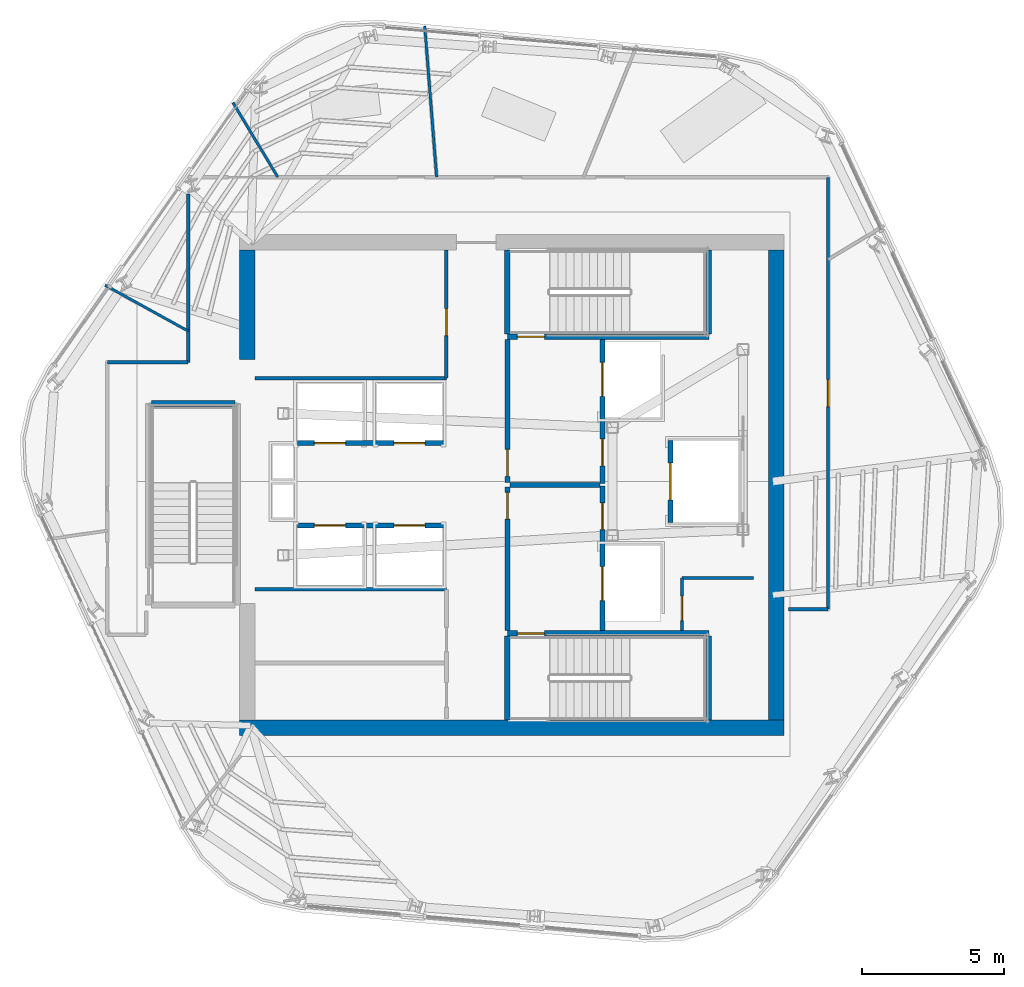
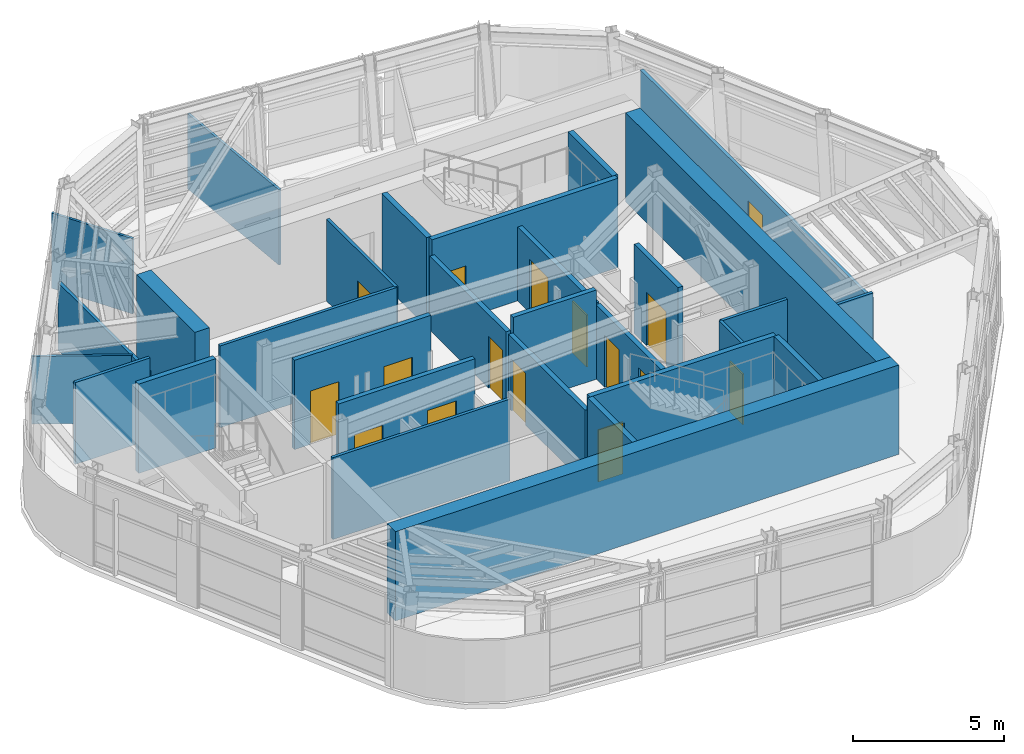
# One storey, part 6 of 12: 30 walls, 16 doors, 16 openings.
"""IFC4 building model written with IfcOpenShell, lengths in metres."""

from ifc_helpers import new_model, si_unit, direction, frame, frame_2d, origin, place, context, subcontext, project, spatial, rectangle, extrude, material, layer, layer_set, type_object, element, fill, save


model = new_model("IFC4")

# Units and contexts
model_context = context("Model", 3, precision=1e-05, world=origin(), true_north=direction((0.0, 1.0)))
body_context = subcontext(model_context, "Body", "Model", "MODEL_VIEW")
ifc_project = project(units=[si_unit("LENGTHUNIT", "METRE"), si_unit("AREAUNIT", "SQUARE_METRE"), si_unit("VOLUMEUNIT", "CUBIC_METRE"), si_unit("PLANEANGLEUNIT", "RADIAN"), si_unit("MASSUNIT", "GRAM", prefix="KILO")], contexts=[model_context])

# Site, building, storey
site_placement = place(None, origin())
site = spatial("IfcSite", under=ifc_project, at=site_placement, CompositionType="ELEMENT")
building_placement = place(site_placement, origin())
building = spatial("IfcBuilding", under=site, at=building_placement, Name="Valkerne Bourse Tower", CompositionType="ELEMENT")
storey_placement = place(building_placement, frame((0.0, 0.0, 262.199951171875)))
storey = spatial("IfcBuildingStorey", under=building, at=storey_placement, Name="L66", CompositionType="ELEMENT", Elevation=262.199951171875)

# Walls
ifc_material_1 = material(Name="Concrete C55/67", Category="concrete")
ifc_layer_1 = layer(ifc_material_1, 0.550048828125)
ifc_layer_set_1 = layer_set([ifc_layer_1], Name="Concrete C55/67")
wall_type_1 = type_object("IfcWallType", Name="W-CORE-550", PredefinedType="SHEAR", material=ifc_layer_set_1)
wall_1_placement = place(storey_placement, frame((37.199951171875, 18.324951171875, 0.0), z_axis=(0.0, 0.0, 1.0), x_axis=(1.0, 0.0, 0.0)))
element("IfcWall", 1, at=wall_1_placement, inside=storey, type_object=wall_type_1, Name="L66 Core Shear Wall SOUTH", PredefinedType="SHEAR", context=body_context, shape_type="SweptSolid", body=[
    extrude(rectangle(XDim=19.199951171875, YDim=0.550048828125, at=frame_2d((9.60009765625, 0.0))), origin(), (0.0, 0.0, 1.0), 3.60009765625),
])
wall_2_placement = place(storey_placement, frame((56.125, 18.60009765625, 0.0), z_axis=(0.0, 0.0, 1.0), x_axis=(0.0, 1.0, 0.0)))
element("IfcWall", 2, at=wall_2_placement, inside=storey, type_object=wall_type_1, Name="L66 Core Shear Wall EAST", PredefinedType="SHEAR", context=body_context, shape_type="SweptSolid", body=[
    extrude(rectangle(XDim=16.5498046875, YDim=0.550048828125, at=frame_2d((8.27490234375, 0.0))), origin(), (0.0, 0.0, 1.0), 3.60009765625),
])
wall_3_placement = place(storey_placement, frame((37.47509765625, 31.300048828125, 0.0), z_axis=(0.0, 0.0, 1.0), x_axis=(0.0, 1.0, 0.0)))
element("IfcWall", 3, at=wall_3_placement, inside=storey, type_object=wall_type_1, Name="L66 Core Shear Wall WEST-N", PredefinedType="SHEAR", context=body_context, shape_type="SweptSolid", body=[
    extrude(rectangle(XDim=3.849853515625, YDim=0.550048828125, at=frame_2d((1.9248046875, 0.0))), origin(), (0.0, 0.0, 1.0), 3.60009765625),
])
ifc_material_2 = material(Name="Gypsum Board Steel-Stud Partition", Category="steel")
ifc_layer_2 = layer(ifc_material_2, 0.117919921875)
ifc_layer_set_2 = layer_set([ifc_layer_2], Name="Gypsum Board Steel-Stud Partition")
wall_type_2 = type_object("IfcWallType", Name="W-CORR-140", PredefinedType="PARTITIONING", material=ifc_layer_set_2)
wall_4_placement = place(storey_placement, frame((37.75, 23.199951171875, 0.0), z_axis=(0.0, 0.0, 1.0), x_axis=(1.0, 0.0, 0.0)))
element("IfcWall", 4, at=wall_4_placement, inside=storey, type_object=wall_type_2, Name="L66 LV7 Low-Bank North Wall", PredefinedType="PARTITIONING", context=body_context, shape_type="SweptSolid", body=[
    extrude(rectangle(XDim=6.75, YDim=0.117919921875, at=frame_2d((3.375, 0.0))), origin(), (0.0, 0.0, 1.0), 3.300048828125),
])

# Wall, opening, door
wall_5_placement = place(storey_placement, frame((44.5, 30.639892578125, 0.0), z_axis=(0.0, 0.0, 1.0), x_axis=(0.0, 1.0, 0.0)))
wall_5 = element("IfcWall", 5, at=wall_5_placement, inside=storey, type_object=wall_type_2, Name="L66 LV7 Mid-Bank East Wall", PredefinedType="PARTITIONING", context=body_context, shape_type="SweptSolid", body=[
    extrude(rectangle(XDim=4.510009765625, YDim=0.117919921875, at=frame_2d((2.2548828125, 0.0))), origin(), (0.0, 0.0, 1.0), 3.300048828125),
])
opening_1_placement = place(wall_5_placement, frame((1.5, 0.0, 0.0)))
opening_1 = element("IfcOpeningElement", 6, at=opening_1_placement, cuts=wall_5, Name="Opening D-SV-950", PredefinedType="OPENING", context=body_context, shape_type="SweptSolid", body=[
    extrude(rectangle(XDim=0.949951171875, YDim=2.050048828125, at=frame_2d((0.47509765625, 1.02490234375))), frame((0.0, 0.06884765625, 0.0), z_axis=(0.0, -1.0, 0.0), x_axis=(1.0, 0.0, 0.0)), (0.0, 0.0, 1.0), 0.137939453125),
])
ifc_material_3 = material(Name="Galvanised Painted Steel", Category="steel")
door_type_1 = type_object("IfcDoorType", Name="DR-SRV-950", OperationType="NOTDEFINED", PredefinedType="DOOR", material=ifc_material_3)
door_1_placement = place(opening_1_placement, origin())
door_1 = element("IfcDoor", 7, at=door_1_placement, inside=storey, type_object=door_type_1, Name="L66 Executive Treasury Conference Door", OperationType="SINGLE_SWING_RIGHT", OverallHeight=2.050048828125, OverallWidth=0.949951171875, PredefinedType="DOOR", context=body_context, shape_type="SweptSolid", body=[
    extrude(rectangle(XDim=0.949951171875, YDim=2.050048828125, at=frame_2d((0.47509765625, 1.02490234375))), frame((0.0, 0.02490234375, 0.0), z_axis=(0.0, -1.0, 0.0), x_axis=(1.0, 0.0, 0.0)), (0.0, 0.0, 1.0), 0.050048828125),
])
fill(opening_1, door_1)

# Wall
wall_6_placement = place(storey_placement, frame((37.75, 30.639892578125, 0.0), z_axis=(0.0, 0.0, 1.0), x_axis=(1.0, 0.0, 0.0)))
element("IfcWall", 8, at=wall_6_placement, inside=storey, type_object=wall_type_2, Name="L66 LV7 Mid-Bank South Wall", PredefinedType="PARTITIONING", context=body_context, shape_type="SweptSolid", body=[
    extrude(rectangle(XDim=6.75, YDim=0.117919921875, at=frame_2d((3.375, 0.0))), origin(), (0.0, 0.0, 1.0), 3.300048828125),
])

# Wall, opening, door
wall_7_placement = place(storey_placement, frame((52.800048828125, 21.75, 0.0), z_axis=(0.0, 0.0, 1.0), x_axis=(0.0, 1.0, 0.0)))
wall_7 = element("IfcWall", 9, at=wall_7_placement, inside=storey, type_object=wall_type_2, Name="L66 Core SE South-Bay West Wall", PredefinedType="PARTITIONING", context=body_context, shape_type="SweptSolid", body=[
    extrude(rectangle(XDim=1.85009765625, YDim=0.117919921875, at=frame_2d((0.925048828125, 0.0))), origin(), (0.0, 0.0, 1.0), 3.300048828125),
])
opening_2_placement = place(wall_7_placement, frame((0.35009765625, 0.0, 0.0)))
opening_2 = element("IfcOpeningElement", 10, at=opening_2_placement, cuts=wall_7, Name="Opening D-WC-900", PredefinedType="OPENING", context=body_context, shape_type="SweptSolid", body=[
    extrude(rectangle(XDim=0.860107421875, YDim=2.050048828125, at=frame_2d((0.43017578125, 1.02490234375))), frame((0.0, 0.06884765625, 0.0), z_axis=(0.0, -1.0, 0.0), x_axis=(1.0, 0.0, 0.0)), (0.0, 0.0, 1.0), 0.137939453125),
])
ifc_material_4 = material(Name="Architectural White Oak Timber", Category="wood")
door_type_2 = type_object("IfcDoorType", Name="DR-WC-900", OperationType="NOTDEFINED", PredefinedType="DOOR", material=ifc_material_4)
door_2_placement = place(opening_2_placement, origin())
door_2 = element("IfcDoor", 11, at=door_2_placement, inside=storey, type_object=door_type_2, Name="L66 Janitor Store Door", OperationType="SINGLE_SWING_RIGHT", OverallHeight=2.050048828125, OverallWidth=0.860107421875, PredefinedType="DOOR", context=body_context, shape_type="SweptSolid", body=[
    extrude(rectangle(XDim=0.860107421875, YDim=2.050048828125, at=frame_2d((0.43017578125, 1.02490234375))), frame((0.0, 0.02490234375, 0.0), z_axis=(0.0, -1.0, 0.0), x_axis=(1.0, 0.0, 0.0)), (0.0, 0.0, 1.0), 0.050048828125),
])
fill(opening_2, door_2)

# Walls
wall_8_placement = place(storey_placement, frame((52.800048828125, 23.60009765625, 0.0), z_axis=(0.0, 0.0, 1.0), x_axis=(1.0, 0.0, 0.0)))
element("IfcWall", 12, at=wall_8_placement, inside=storey, type_object=wall_type_2, Name="L66 Core SE South-Bay North Wall", PredefinedType="PARTITIONING", context=body_context, shape_type="SweptSolid", body=[
    extrude(rectangle(XDim=2.52001953125, YDim=0.117919921875, at=frame_2d((1.260009765625, 0.0))), origin(), (0.0, 0.0, 1.0), 3.300048828125),
])
wall_9_placement = place(storey_placement, frame((35.39990234375, 31.199951171875, 0.0), z_axis=(0.0, 0.0, 1.0), x_axis=(0.0, 1.0, 0.0)))
element("IfcWall", 13, at=wall_9_placement, inside=storey, type_object=wall_type_2, Name="L66 Corridor Enclosure Wall", PredefinedType="PARTITIONING", context=body_context, shape_type="SweptSolid", body=[
    extrude(rectangle(XDim=5.933837890625, YDim=0.117919921875, at=frame_2d((2.966796875, 0.0))), origin(), (0.0, 0.0, 1.0), 2.7314453125),
])

# Wall, opening, door
wall_10_placement = place(storey_placement, frame((57.949951171875, 37.719970703125, 0.0), z_axis=(0.0, 0.0, 1.0), x_axis=(0.0, -1.0, 0.0)))
wall_10 = element("IfcWall", 14, at=wall_10_placement, inside=storey, type_object=wall_type_2, Name="L66 Corridor Enclosure Wall", PredefinedType="PARTITIONING", context=body_context, shape_type="SweptSolid", body=[
    extrude(rectangle(XDim=15.219970703125, YDim=0.117919921875, at=frame_2d((7.60986328125, 0.0))), origin(), (0.0, 0.0, 1.0), 3.056640625),
])
opening_3_placement = place(wall_10_placement, frame((7.135009765625, 0.0, 0.0)))
opening_3 = element("IfcOpeningElement", 15, at=opening_3_placement, cuts=wall_10, Name="Opening D-OF-950", PredefinedType="OPENING", context=body_context, shape_type="SweptSolid", body=[
    extrude(rectangle(XDim=0.949951171875, YDim=2.10009765625, at=frame_2d((0.47509765625, 1.050048828125))), frame((0.0, 0.06884765625, 0.0), z_axis=(0.0, -1.0, 0.0), x_axis=(1.0, 0.0, 0.0)), (0.0, 0.0, 1.0), 0.137939453125),
])
door_type_3 = type_object("IfcDoorType", Name="DR-OFF-950", OperationType="NOTDEFINED", PredefinedType="DOOR", material=ifc_material_4)
door_3_placement = place(opening_3_placement, origin())
door_3 = element("IfcDoor", 16, at=door_3_placement, inside=storey, type_object=door_type_3, Name="L66 L66 Occupational Wellness Clinic 7 Door", OperationType="SINGLE_SWING_LEFT", OverallHeight=2.10009765625, OverallWidth=0.949951171875, PredefinedType="DOOR", context=body_context, shape_type="SweptSolid", body=[
    extrude(rectangle(XDim=0.949951171875, YDim=2.10009765625, at=frame_2d((0.47509765625, 1.050048828125))), frame((0.0, 0.02490234375, 0.0), z_axis=(0.0, -1.0, 0.0), x_axis=(1.0, 0.0, 0.0)), (0.0, 0.0, 1.0), 0.050048828125),
])
fill(opening_3, door_3)

# Walls
wall_11_placement = place(storey_placement, frame((57.949951171875, 22.5, 0.0), z_axis=(0.0, 0.0, 1.0), x_axis=(-1.0, 0.0, 0.0)))
element("IfcWall", 17, at=wall_11_placement, inside=storey, type_object=wall_type_2, Name="L66 Corridor Enclosure Wall", PredefinedType="PARTITIONING", context=body_context, shape_type="SweptSolid", body=[
    extrude(rectangle(XDim=1.389892578125, YDim=0.117919921875, at=frame_2d((0.69482421875, 0.0))), origin(), (0.0, 0.0, 1.0), 3.300048828125),
])
wall_12_placement = place(storey_placement, frame((32.550048828125, 31.199951171875, 0.0), z_axis=(0.0, 0.0, 1.0), x_axis=(1.0, 0.0, 0.0)))
element("IfcWall", 18, at=wall_12_placement, inside=storey, type_object=wall_type_2, Name="L66 Corridor Enclosure Wall", PredefinedType="PARTITIONING", context=body_context, shape_type="SweptSolid", body=[
    extrude(rectangle(XDim=2.849853515625, YDim=0.117919921875, at=frame_2d((1.4248046875, 0.0))), origin(), (0.0, 0.0, 1.0), 3.300048828125),
])
ifc_material_5 = material(Name="Gypsum Fire-Rated Shaftwall", Category="gypsum")
ifc_layer_3 = layer(ifc_material_5, 0.179931640625)
ifc_layer_set_3 = layer_set([ifc_layer_3], Name="Gypsum Fire-Rated Shaftwall")
wall_type_3 = type_object("IfcWallType", Name="W-FSAE-180", PredefinedType="PARTITIONING", material=ifc_layer_set_3)
wall_13_placement = place(storey_placement, frame((46.739990234375, 26.8798828125, 0.0), z_axis=(0.0, 0.0, 1.0), x_axis=(1.0, 0.0, 0.0)))
element("IfcWall", 19, at=wall_13_placement, inside=storey, type_object=wall_type_3, Name="L66 FSAE-1/2 Lobby Dividing Fire Wall", PredefinedType="PARTITIONING", context=body_context, shape_type="SweptSolid", body=[
    extrude(rectangle(XDim=3.169921875, YDim=0.179931640625, at=frame_2d((1.5849609375, 0.0))), origin(), (0.0, 0.0, 1.0), 3.60009765625),
])

# Wall, opening, door
wall_14_placement = place(storey_placement, frame((46.64990234375, 21.75, 0.0), z_axis=(0.0, 0.0, 1.0), x_axis=(0.0, 1.0, 0.0)))
wall_14 = element("IfcWall", 20, at=wall_14_placement, inside=storey, type_object=wall_type_3, Name="L66 FSAE-1 Lobby West Fire Wall", PredefinedType="PARTITIONING", context=body_context, shape_type="SweptSolid", body=[
    extrude(rectangle(XDim=5.050048828125, YDim=0.179931640625, at=frame_2d((2.52490234375, 0.0))), origin(), (0.0, 0.0, 1.0), 2.977783203125),
])
opening_4_placement = place(wall_14_placement, frame((3.919921875, 0.0, 0.0)))
opening_4 = element("IfcOpeningElement", 21, at=opening_4_placement, cuts=wall_14, Name="Opening D-FS-950", PredefinedType="OPENING", context=body_context, shape_type="SweptSolid", body=[
    extrude(rectangle(XDim=0.949951171875, YDim=2.10009765625, at=frame_2d((0.47509765625, 1.050048828125))), frame((0.0, 0.099853515625, 0.0), z_axis=(0.0, -1.0, 0.0), x_axis=(1.0, 0.0, 0.0)), (0.0, 0.0, 1.0), 0.199951171875),
])
door_type_4 = type_object("IfcDoorType", Name="DR-FSAE-950", OperationType="NOTDEFINED", PredefinedType="DOOR", material=ifc_material_3)
door_4_placement = place(opening_4_placement, origin())
door_4 = element("IfcDoor", 22, at=door_4_placement, inside=storey, type_object=door_type_4, Name="L66 FSAE-1 Hall Link Fire Door", OperationType="SINGLE_SWING_LEFT", OverallHeight=2.10009765625, OverallWidth=0.949951171875, PredefinedType="DOOR", context=body_context, shape_type="SweptSolid", body=[
    extrude(rectangle(XDim=0.949951171875, YDim=2.10009765625, at=frame_2d((0.47509765625, 1.050048828125))), frame((0.0, 0.02490234375, 0.0), z_axis=(0.0, -1.0, 0.0), x_axis=(1.0, 0.0, 0.0)), (0.0, 0.0, 1.0), 0.050048828125),
])
fill(opening_4, door_4)

wall_15_placement = place(storey_placement, frame((46.64990234375, 26.9599609375, 0.0), z_axis=(0.0, 0.0, 1.0), x_axis=(0.0, 1.0, 0.0)))
wall_15 = element("IfcWall", 23, at=wall_15_placement, inside=storey, type_object=wall_type_3, Name="L66 FSAE-2 Lobby West Fire Wall", PredefinedType="PARTITIONING", context=body_context, shape_type="SweptSolid", body=[
    extrude(rectangle(XDim=5.0400390625, YDim=0.179931640625, at=frame_2d((2.52001953125, 0.0))), origin(), (0.0, 0.0, 1.0), 2.977783203125),
])
opening_5_placement = place(wall_15_placement, frame((0.219970703125, 0.0, 0.0)))
opening_5 = element("IfcOpeningElement", 24, at=opening_5_placement, cuts=wall_15, Name="Opening D-FS-950", PredefinedType="OPENING", context=body_context, shape_type="SweptSolid", body=[
    extrude(rectangle(XDim=0.949951171875, YDim=2.10009765625, at=frame_2d((0.47509765625, 1.050048828125))), frame((0.0, 0.099853515625, 0.0), z_axis=(0.0, -1.0, 0.0), x_axis=(1.0, 0.0, 0.0)), (0.0, 0.0, 1.0), 0.199951171875),
])
door_5_placement = place(opening_5_placement, origin())
door_5 = element("IfcDoor", 25, at=door_5_placement, inside=storey, type_object=door_type_4, Name="L66 FSAE-2 Hall Link Fire Door", OperationType="SINGLE_SWING_LEFT", OverallHeight=2.10009765625, OverallWidth=0.949951171875, PredefinedType="DOOR", context=body_context, shape_type="SweptSolid", body=[
    extrude(rectangle(XDim=0.949951171875, YDim=2.10009765625, at=frame_2d((0.47509765625, 1.050048828125))), frame((0.0, 0.02490234375, 0.0), z_axis=(0.0, -1.0, 0.0), x_axis=(1.0, 0.0, 0.0)), (0.0, 0.0, 1.0), 0.050048828125),
])
fill(opening_5, door_5)

# Wall, openings, doors
wall_16_placement = place(storey_placement, frame((50.0, 21.75, 0.0), z_axis=(0.0, 0.0, 1.0), x_axis=(0.0, 1.0, 0.0)))
wall_16 = element("IfcWall", 26, at=wall_16_placement, inside=storey, type_object=wall_type_3, Name="L66 FSAE-1 Lobby & Shaft Front Wall", PredefinedType="PARTITIONING", context=body_context, shape_type="SweptSolid", body=[
    extrude(rectangle(XDim=5.090087890625, YDim=0.179931640625, at=frame_2d((2.544921875, 0.0))), origin(), (0.0, 0.0, 1.0), 2.977783203125),
])
opening_6_placement = place(wall_16_placement, frame((1.050048828125, 0.0, 0.0)))
opening_6 = element("IfcOpeningElement", 27, at=opening_6_placement, cuts=wall_16, Name="Opening LD-1200", PredefinedType="OPENING", context=body_context, shape_type="SweptSolid", body=[
    extrude(rectangle(XDim=1.199951171875, YDim=2.14990234375, at=frame_2d((0.60009765625, 1.074951171875))), frame((0.0, 0.099853515625, 0.0), z_axis=(0.0, -1.0, 0.0), x_axis=(1.0, 0.0, 0.0)), (0.0, 0.0, 1.0), 0.199951171875),
])
opening_7_placement = place(wall_16_placement, frame((3.550048828125, 0.0, 0.0)))
opening_7 = element("IfcOpeningElement", 28, at=opening_7_placement, cuts=wall_16, Name="Opening D-FS-950", PredefinedType="OPENING", context=body_context, shape_type="SweptSolid", body=[
    extrude(rectangle(XDim=0.949951171875, YDim=2.10009765625, at=frame_2d((0.47509765625, 1.050048828125))), frame((0.0, 0.099853515625, 0.0), z_axis=(0.0, -1.0, 0.0), x_axis=(1.0, 0.0, 0.0)), (0.0, 0.0, 1.0), 0.199951171875),
])
door_6_placement = place(opening_7_placement, origin())
door_6 = element("IfcDoor", 29, at=door_6_placement, inside=storey, type_object=door_type_4, Name="L66 FSAE-1 Lobby Corridor Fire Door", OperationType="SINGLE_SWING_LEFT", OverallHeight=2.10009765625, OverallWidth=0.949951171875, PredefinedType="DOOR", context=body_context, shape_type="SweptSolid", body=[
    extrude(rectangle(XDim=0.949951171875, YDim=2.10009765625, at=frame_2d((0.47509765625, 1.050048828125))), frame((0.0, 0.02490234375, 0.0), z_axis=(0.0, -1.0, 0.0), x_axis=(1.0, 0.0, 0.0)), (0.0, 0.0, 1.0), 0.050048828125),
])
fill(opening_7, door_6)
ifc_material_6 = material(Name="Stainless Steel AISI 316", Category="steel")
door_type_5 = type_object("IfcDoorType", Name="DR-LIFT-1200", OperationType="DOUBLE_DOOR_SLIDING", PredefinedType="DOOR", material=ifc_material_6)
door_7_placement = place(opening_6_placement, origin())
door_7 = element("IfcDoor", 30, at=door_7_placement, inside=storey, type_object=door_type_5, Name="L66 FSAE-1 Firefighting Lift Landing Door", OperationType="DOUBLE_DOOR_SLIDING", OverallHeight=2.14990234375, OverallWidth=1.199951171875, PredefinedType="DOOR", context=body_context, shape_type="SweptSolid", body=[
    extrude(rectangle(XDim=1.199951171875, YDim=2.14990234375, at=frame_2d((0.60009765625, 1.074951171875))), frame((0.0, 0.02490234375, 0.0), z_axis=(0.0, -1.0, 0.0), x_axis=(1.0, 0.0, 0.0)), (0.0, 0.0, 1.0), 0.050048828125),
])
fill(opening_6, door_7)

wall_17_placement = place(storey_placement, frame((50.0, 26.919921875, 0.0), z_axis=(0.0, 0.0, 1.0), x_axis=(0.0, 1.0, 0.0)))
wall_17 = element("IfcWall", 31, at=wall_17_placement, inside=storey, type_object=wall_type_3, Name="L66 FSAE-2 Lobby & Shaft Front Wall", PredefinedType="PARTITIONING", context=body_context, shape_type="SweptSolid", body=[
    extrude(rectangle(XDim=5.080078125, YDim=0.179931640625, at=frame_2d((2.5400390625, 0.0))), origin(), (0.0, 0.0, 1.0), 2.977783203125),
])
opening_8_placement = place(wall_17_placement, frame((3.080078125, 0.0, 0.0)))
opening_8 = element("IfcOpeningElement", 32, at=opening_8_placement, cuts=wall_17, Name="Opening LD-1200", PredefinedType="OPENING", context=body_context, shape_type="SweptSolid", body=[
    extrude(rectangle(XDim=1.199951171875, YDim=2.14990234375, at=frame_2d((0.60009765625, 1.074951171875))), frame((0.0, 0.099853515625, 0.0), z_axis=(0.0, -1.0, 0.0), x_axis=(1.0, 0.0, 0.0)), (0.0, 0.0, 1.0), 0.199951171875),
])
opening_9_placement = place(wall_17_placement, frame((0.6298828125, 0.0, 0.0)))
opening_9 = element("IfcOpeningElement", 33, at=opening_9_placement, cuts=wall_17, Name="Opening D-FS-950", PredefinedType="OPENING", context=body_context, shape_type="SweptSolid", body=[
    extrude(rectangle(XDim=0.949951171875, YDim=2.10009765625, at=frame_2d((0.47509765625, 1.050048828125))), frame((0.0, 0.099853515625, 0.0), z_axis=(0.0, -1.0, 0.0), x_axis=(1.0, 0.0, 0.0)), (0.0, 0.0, 1.0), 0.199951171875),
])
door_8_placement = place(opening_9_placement, origin())
door_8 = element("IfcDoor", 34, at=door_8_placement, inside=storey, type_object=door_type_4, Name="L66 FSAE-2 Lobby Corridor Fire Door", OperationType="SINGLE_SWING_LEFT", OverallHeight=2.10009765625, OverallWidth=0.949951171875, PredefinedType="DOOR", context=body_context, shape_type="SweptSolid", body=[
    extrude(rectangle(XDim=0.949951171875, YDim=2.10009765625, at=frame_2d((0.47509765625, 1.050048828125))), frame((0.0, 0.02490234375, 0.0), z_axis=(0.0, -1.0, 0.0), x_axis=(1.0, 0.0, 0.0)), (0.0, 0.0, 1.0), 0.050048828125),
])
fill(opening_9, door_8)
door_9_placement = place(opening_8_placement, origin())
door_9 = element("IfcDoor", 35, at=door_9_placement, inside=storey, type_object=door_type_5, Name="L66 FSAE-2 Firefighting Lift Landing Door", OperationType="DOUBLE_DOOR_SLIDING", OverallHeight=2.14990234375, OverallWidth=1.199951171875, PredefinedType="DOOR", context=body_context, shape_type="SweptSolid", body=[
    extrude(rectangle(XDim=1.199951171875, YDim=2.14990234375, at=frame_2d((0.60009765625, 1.074951171875))), frame((0.0, 0.02490234375, 0.0), z_axis=(0.0, -1.0, 0.0), x_axis=(1.0, 0.0, 0.0)), (0.0, 0.0, 1.0), 0.050048828125),
])
fill(opening_8, door_9)

# Wall, opening, door
ifc_material_7 = material(Name="CMU Blockwork Masonry 200mm", Category="masonry")
ifc_layer_4 = layer(ifc_material_7, 0.179931640625)
ifc_layer_set_4 = layer_set([ifc_layer_4], Name="CMU Blockwork Masonry 200mm")
wall_type_4 = type_object("IfcWallType", Name="W-LFT-180", PredefinedType="SOLIDWALL", material=ifc_layer_set_4)
wall_18_placement = place(storey_placement, frame((52.39990234375, 25.550048828125, 0.0), z_axis=(0.0, 0.0, 1.0), x_axis=(0.0, 1.0, 0.0)))
wall_18 = element("IfcWall", 36, at=wall_18_placement, inside=storey, type_object=wall_type_4, Name="L66 Service Lift SV-1 Front Wall", PredefinedType="SOLIDWALL", context=body_context, shape_type="SweptSolid", body=[
    extrude(rectangle(XDim=2.89990234375, YDim=0.179931640625, at=frame_2d((1.449951171875, 0.0))), origin(), (0.0, 0.0, 1.0), 3.60009765625),
])
opening_10_placement = place(wall_18_placement, frame((0.800048828125, 0.0, 0.0)))
opening_10 = element("IfcOpeningElement", 37, at=opening_10_placement, cuts=wall_18, Name="Opening LD-1300", PredefinedType="OPENING", context=body_context, shape_type="SweptSolid", body=[
    extrude(rectangle(XDim=1.300048828125, YDim=2.14990234375, at=frame_2d((0.64990234375, 1.074951171875))), frame((0.0, 0.099853515625, 0.0), z_axis=(0.0, -1.0, 0.0), x_axis=(1.0, 0.0, 0.0)), (0.0, 0.0, 1.0), 0.199951171875),
])
door_type_6 = type_object("IfcDoorType", Name="DR-LIFT-1300", OperationType="DOUBLE_DOOR_SLIDING", PredefinedType="DOOR", material=ifc_material_6)
door_10_placement = place(opening_10_placement, origin())
door_10 = element("IfcDoor", 38, at=door_10_placement, inside=storey, type_object=door_type_6, Name="L66 Service Lift SV-1 Landing Door", OperationType="DOUBLE_DOOR_SLIDING", OverallHeight=2.14990234375, OverallWidth=1.300048828125, PredefinedType="DOOR", context=body_context, shape_type="SweptSolid", body=[
    extrude(rectangle(XDim=1.300048828125, YDim=2.14990234375, at=frame_2d((0.64990234375, 1.074951171875))), frame((0.0, 0.02490234375, 0.0), z_axis=(0.0, -1.0, 0.0), x_axis=(1.0, 0.0, 0.0)), (0.0, 0.0, 1.0), 0.050048828125),
])
fill(opening_10, door_10)

# Wall, openings, doors
wall_19_placement = place(storey_placement, frame((39.25, 25.449951171875, 0.0), z_axis=(0.0, 0.0, 1.0), x_axis=(1.0, 0.0, 0.0)))
wall_19 = element("IfcWall", 39, at=wall_19_placement, inside=storey, type_object=wall_type_4, Name="L66 High-Zone South Cars Front Wall", PredefinedType="SOLIDWALL", context=body_context, shape_type="SweptSolid", body=[
    extrude(rectangle(XDim=5.199951171875, YDim=0.179931640625, at=frame_2d((2.60009765625, 0.0))), origin(), (0.0, 0.0, 1.0), 3.60009765625),
])
opening_11_placement = place(wall_19_placement, frame((0.60009765625, 0.0, 0.0)))
opening_11 = element("IfcOpeningElement", 40, at=opening_11_placement, cuts=wall_19, Name="Opening LD-1100", PredefinedType="OPENING", context=body_context, shape_type="SweptSolid", body=[
    extrude(rectangle(XDim=1.10009765625, YDim=2.14990234375, at=frame_2d((0.550048828125, 1.074951171875))), frame((0.0, 0.099853515625, 0.0), z_axis=(0.0, -1.0, 0.0), x_axis=(1.0, 0.0, 0.0)), (0.0, 0.0, 1.0), 0.199951171875),
])
opening_12_placement = place(wall_19_placement, frame((3.39990234375, 0.0, 0.0)))
opening_12 = element("IfcOpeningElement", 41, at=opening_12_placement, cuts=wall_19, Name="Opening LD-1100", PredefinedType="OPENING", context=body_context, shape_type="SweptSolid", body=[
    extrude(rectangle(XDim=1.10009765625, YDim=2.14990234375, at=frame_2d((0.550048828125, 1.074951171875))), frame((0.0, 0.099853515625, 0.0), z_axis=(0.0, -1.0, 0.0), x_axis=(1.0, 0.0, 0.0)), (0.0, 0.0, 1.0), 0.199951171875),
])
door_type_7 = type_object("IfcDoorType", Name="DR-LIFT-1100", OperationType="DOUBLE_DOOR_SLIDING", PredefinedType="DOOR", material=ifc_material_6)
door_11_placement = place(opening_11_placement, origin())
door_11 = element("IfcDoor", 42, at=door_11_placement, inside=storey, type_object=door_type_7, Name="L66 Passenger Lift PL-H1 Sliding Landing Door", OperationType="DOUBLE_DOOR_SLIDING", OverallHeight=2.14990234375, OverallWidth=1.10009765625, PredefinedType="DOOR", context=body_context, shape_type="SweptSolid", body=[
    extrude(rectangle(XDim=1.10009765625, YDim=2.14990234375, at=frame_2d((0.550048828125, 1.074951171875))), frame((0.0, 0.02490234375, 0.0), z_axis=(0.0, -1.0, 0.0), x_axis=(1.0, 0.0, 0.0)), (0.0, 0.0, 1.0), 0.050048828125),
])
fill(opening_11, door_11)
door_12_placement = place(opening_12_placement, origin())
door_12 = element("IfcDoor", 43, at=door_12_placement, inside=storey, type_object=door_type_7, Name="L66 Passenger Lift PL-H2 Sliding Landing Door", OperationType="DOUBLE_DOOR_SLIDING", OverallHeight=2.14990234375, OverallWidth=1.10009765625, PredefinedType="DOOR", context=body_context, shape_type="SweptSolid", body=[
    extrude(rectangle(XDim=1.10009765625, YDim=2.14990234375, at=frame_2d((0.550048828125, 1.074951171875))), frame((0.0, 0.02490234375, 0.0), z_axis=(0.0, -1.0, 0.0), x_axis=(1.0, 0.0, 0.0)), (0.0, 0.0, 1.0), 0.050048828125),
])
fill(opening_12, door_12)

wall_20_placement = place(storey_placement, frame((39.25, 28.35009765625, 0.0), z_axis=(0.0, 0.0, 1.0), x_axis=(1.0, 0.0, 0.0)))
wall_20 = element("IfcWall", 44, at=wall_20_placement, inside=storey, type_object=wall_type_4, Name="L66 High-Zone North Cars Front Wall", PredefinedType="SOLIDWALL", context=body_context, shape_type="SweptSolid", body=[
    extrude(rectangle(XDim=5.199951171875, YDim=0.179931640625, at=frame_2d((2.60009765625, 0.0))), origin(), (0.0, 0.0, 1.0), 3.60009765625),
])
opening_13_placement = place(wall_20_placement, frame((0.60009765625, 0.0, 0.0)))
opening_13 = element("IfcOpeningElement", 45, at=opening_13_placement, cuts=wall_20, Name="Opening LD-1100", PredefinedType="OPENING", context=body_context, shape_type="SweptSolid", body=[
    extrude(rectangle(XDim=1.10009765625, YDim=2.14990234375, at=frame_2d((0.550048828125, 1.074951171875))), frame((0.0, 0.099853515625, 0.0), z_axis=(0.0, -1.0, 0.0), x_axis=(1.0, 0.0, 0.0)), (0.0, 0.0, 1.0), 0.199951171875),
])
opening_14_placement = place(wall_20_placement, frame((3.39990234375, 0.0, 0.0)))
opening_14 = element("IfcOpeningElement", 46, at=opening_14_placement, cuts=wall_20, Name="Opening LD-1100", PredefinedType="OPENING", context=body_context, shape_type="SweptSolid", body=[
    extrude(rectangle(XDim=1.10009765625, YDim=2.14990234375, at=frame_2d((0.550048828125, 1.074951171875))), frame((0.0, 0.099853515625, 0.0), z_axis=(0.0, -1.0, 0.0), x_axis=(1.0, 0.0, 0.0)), (0.0, 0.0, 1.0), 0.199951171875),
])
door_13_placement = place(opening_13_placement, origin())
door_13 = element("IfcDoor", 47, at=door_13_placement, inside=storey, type_object=door_type_7, Name="L66 Passenger Lift PL-H3 Sliding Landing Door", OperationType="DOUBLE_DOOR_SLIDING", OverallHeight=2.14990234375, OverallWidth=1.10009765625, PredefinedType="DOOR", context=body_context, shape_type="SweptSolid", body=[
    extrude(rectangle(XDim=1.10009765625, YDim=2.14990234375, at=frame_2d((0.550048828125, 1.074951171875))), frame((0.0, 0.02490234375, 0.0), z_axis=(0.0, -1.0, 0.0), x_axis=(1.0, 0.0, 0.0)), (0.0, 0.0, 1.0), 0.050048828125),
])
fill(opening_13, door_13)
door_14_placement = place(opening_14_placement, origin())
door_14 = element("IfcDoor", 48, at=door_14_placement, inside=storey, type_object=door_type_7, Name="L66 Passenger Lift PL-H4 Sliding Landing Door", OperationType="DOUBLE_DOOR_SLIDING", OverallHeight=2.14990234375, OverallWidth=1.10009765625, PredefinedType="DOOR", context=body_context, shape_type="SweptSolid", body=[
    extrude(rectangle(XDim=1.10009765625, YDim=2.14990234375, at=frame_2d((0.550048828125, 1.074951171875))), frame((0.0, 0.02490234375, 0.0), z_axis=(0.0, -1.0, 0.0), x_axis=(1.0, 0.0, 0.0)), (0.0, 0.0, 1.0), 0.050048828125),
])
fill(opening_14, door_14)

# Walls
ifc_layer_5 = layer(ifc_material_2, 0.092041015625)
ifc_layer_set_5 = layer_set([ifc_layer_5], Name="Gypsum Board Steel-Stud Partition")
wall_type_5 = type_object("IfcWallType", Name="W-PART-115", PredefinedType="PARTITIONING", material=ifc_layer_set_5)
wall_21_placement = place(storey_placement, frame((44.156005859375, 37.72509765625, 0.0), z_axis=(0.0, 0.0, 1.0), x_axis=(-0.078463179264, 0.996917012343, 0.0)))
element("IfcWall", 49, at=wall_21_placement, inside=storey, type_object=wall_type_5, Name="L66 Suite Partition P02", PredefinedType="PARTITIONING", context=body_context, shape_type="SweptSolid", body=[
    extrude(rectangle(XDim=5.336181640625, YDim=0.092041015625, at=frame_2d((2.66796875, 0.0))), origin(), (0.0, 0.0, 1.0), 3.0361328125),
])
wall_22_placement = place(storey_placement, frame((38.555908203125, 37.72509765625, 0.0), z_axis=(0.0, 0.0, 1.0), x_axis=(-0.515070359041, 0.857147901612, 0.0)))
element("IfcWall", 50, at=wall_22_placement, inside=storey, type_object=wall_type_5, Name="L66 Suite Partition P03", PredefinedType="PARTITIONING", context=body_context, shape_type="SweptSolid", body=[
    extrude(rectangle(XDim=3.06103515625, YDim=0.092041015625, at=frame_2d((1.530517578125, 0.0))), origin(), (0.0, 0.0, 1.0), 3.0361328125),
])
wall_23_placement = place(storey_placement, frame((35.39501953125, 32.302734375, 0.0), z_axis=(0.0, 0.0, 1.0), x_axis=(-0.875451738964, 0.483305548019, 0.0)))
element("IfcWall", 51, at=wall_23_placement, inside=storey, type_object=wall_type_5, Name="L66 Suite Partition P04", PredefinedType="PARTITIONING", context=body_context, shape_type="SweptSolid", body=[
    extrude(rectangle(XDim=3.3369140625, YDim=0.092041015625, at=frame_2d((1.66845703125, 0.0))), origin(), (0.0, 0.0, 1.0), 2.7314453125),
])

# Wall, opening, door
ifc_material_8 = material(Name="Concrete C40/50", Category="concrete")
ifc_layer_6 = layer(ifc_material_8, 0.199951171875)
ifc_layer_set_6 = layer_set([ifc_layer_6], Name="Concrete C40/50")
wall_type_6 = type_object("IfcWallType", Name="W-SHF-200", PredefinedType="SHEAR", material=ifc_layer_set_6)
wall_24_placement = place(storey_placement, frame((46.64990234375, 21.64990234375, 0.0), z_axis=(0.0, 0.0, 1.0), x_axis=(1.0, 0.0, 0.0)))
wall_24 = element("IfcWall", 52, at=wall_24_placement, inside=storey, type_object=wall_type_6, Name="L66 Exit Stair ST-1 Structural Shaft Wall North", PredefinedType="SHEAR", context=body_context, shape_type="SweptSolid", body=[
    extrude(rectangle(XDim=7.10009765625, YDim=0.199951171875, at=frame_2d((3.550048828125, 0.0))), origin(), (0.0, 0.0, 1.0), 3.60009765625),
])
opening_15_placement = place(wall_24_placement, frame((0.35009765625, 0.0, 0.0)))
opening_15 = element("IfcOpeningElement", 53, at=opening_15_placement, cuts=wall_24, Name="Opening D-ST-950", PredefinedType="OPENING", context=body_context, shape_type="SweptSolid", body=[
    extrude(rectangle(XDim=0.949951171875, YDim=2.10009765625, at=frame_2d((0.47509765625, 1.050048828125))), frame((0.0, 0.10986328125, 0.0), z_axis=(0.0, -1.0, 0.0), x_axis=(1.0, 0.0, 0.0)), (0.0, 0.0, 1.0), 0.219970703125),
])
door_type_8 = type_object("IfcDoorType", Name="DR-STAIR-950", OperationType="NOTDEFINED", PredefinedType="DOOR", material=ifc_material_3)
door_15_placement = place(opening_15_placement, origin())
door_15 = element("IfcDoor", 54, at=door_15_placement, inside=storey, type_object=door_type_8, Name="L66 Exit Stair ST-1 Door", OperationType="SINGLE_SWING_RIGHT", OverallHeight=2.10009765625, OverallWidth=0.949951171875, PredefinedType="DOOR", context=body_context, shape_type="SweptSolid", body=[
    extrude(rectangle(XDim=0.949951171875, YDim=2.10009765625, at=frame_2d((0.47509765625, 1.050048828125))), frame((0.0, 0.02490234375, 0.0), z_axis=(0.0, -1.0, 0.0), x_axis=(1.0, 0.0, 0.0)), (0.0, 0.0, 1.0), 0.050048828125),
])
fill(opening_15, door_15)

# Walls
for number, where, z_axis, x_axis, name in (
    (55, (46.64990234375, 18.60009765625, 0.0), (0.0, 0.0, 1.0), (0.0, 1.0, 0.0), "L66 Exit Stair ST-1 Structural Shaft Wall West"),
    (56, (53.75, 18.60009765625, 0.0), (0.0, 0.0, 1.0), (0.0, 1.0, 0.0), "L66 Exit Stair ST-1 Structural Shaft Wall East"),
):
    element("IfcWall", number, at=place(storey_placement, frame(where, z_axis=z_axis, x_axis=x_axis)), inside=storey, type_object=wall_type_6, Name=name, PredefinedType="SHEAR", context=body_context, shape_type="SweptSolid", body=[
        extrude(rectangle(XDim=2.949951171875, YDim=0.199951171875, at=frame_2d((1.47509765625, 0.0))), origin(), (0.0, 0.0, 1.0), 3.60009765625),
    ])

# Wall, opening, door
wall_25_placement = place(storey_placement, frame((46.64990234375, 32.10009765625, 0.0), z_axis=(0.0, 0.0, 1.0), x_axis=(1.0, 0.0, 0.0)))
wall_25 = element("IfcWall", 57, at=wall_25_placement, inside=storey, type_object=wall_type_6, Name="L66 Exit Stair ST-2 Structural Shaft Wall South", PredefinedType="SHEAR", context=body_context, shape_type="SweptSolid", body=[
    extrude(rectangle(XDim=7.10009765625, YDim=0.199951171875, at=frame_2d((3.550048828125, 0.0))), origin(), (0.0, 0.0, 1.0), 3.60009765625),
])
opening_16_placement = place(wall_25_placement, frame((0.35009765625, 0.0, 0.0)))
opening_16 = element("IfcOpeningElement", 58, at=opening_16_placement, cuts=wall_25, Name="Opening D-ST-950", PredefinedType="OPENING", context=body_context, shape_type="SweptSolid", body=[
    extrude(rectangle(XDim=0.949951171875, YDim=2.10009765625, at=frame_2d((0.47509765625, 1.050048828125))), frame((0.0, 0.10986328125, 0.0), z_axis=(0.0, -1.0, 0.0), x_axis=(1.0, 0.0, 0.0)), (0.0, 0.0, 1.0), 0.219970703125),
])
door_16_placement = place(opening_16_placement, origin())
door_16 = element("IfcDoor", 59, at=door_16_placement, inside=storey, type_object=door_type_8, Name="L66 Exit Stair ST-2 Door", OperationType="SINGLE_SWING_RIGHT", OverallHeight=2.10009765625, OverallWidth=0.949951171875, PredefinedType="DOOR", context=body_context, shape_type="SweptSolid", body=[
    extrude(rectangle(XDim=0.949951171875, YDim=2.10009765625, at=frame_2d((0.47509765625, 1.050048828125))), frame((0.0, 0.02490234375, 0.0), z_axis=(0.0, -1.0, 0.0), x_axis=(1.0, 0.0, 0.0)), (0.0, 0.0, 1.0), 0.050048828125),
])
fill(opening_16, door_16)

# Walls
for number, where, z_axis, x_axis, name in (
    (60, (46.64990234375, 32.199951171875, 0.0), (0.0, 0.0, 1.0), (0.0, 1.0, 0.0), "L66 Exit Stair ST-2 Structural Shaft Wall West"),
    (61, (53.75, 32.199951171875, 0.0), (0.0, 0.0, 1.0), (0.0, 1.0, 0.0), "L66 Exit Stair ST-2 Structural Shaft Wall East"),
    (62, (34.10009765625, 29.75, 0.0), (0.0, 0.0, 1.0), (1.0, 0.0, 0.0), "L66 Exit Stair ST-3 Structural Shaft Wall North"),
):
    element("IfcWall", number, at=place(storey_placement, frame(where, z_axis=z_axis, x_axis=x_axis)), inside=storey, type_object=wall_type_6, Name=name, PredefinedType="SHEAR", context=body_context, shape_type="SweptSolid", body=[
        extrude(rectangle(XDim=2.949951171875, YDim=0.199951171875, at=frame_2d((1.47509765625, 0.0))), origin(), (0.0, 0.0, 1.0), 3.60009765625),
    ])

save(model, "model.ifc")
